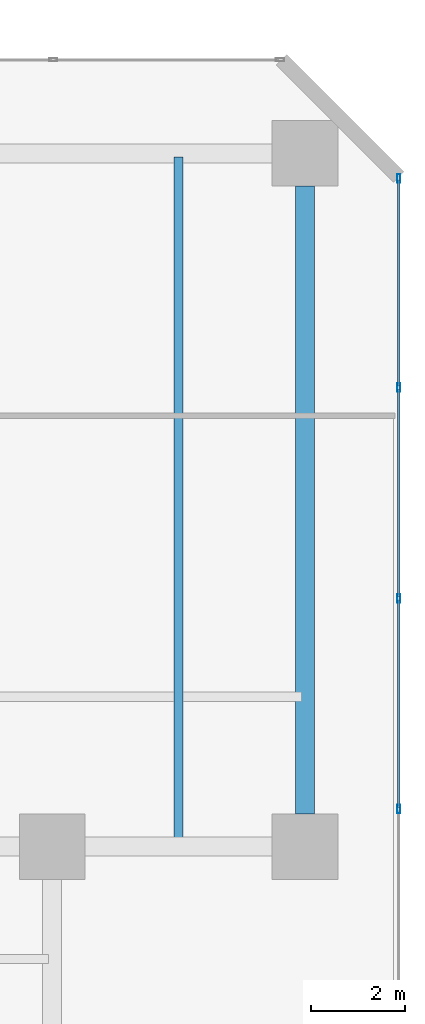
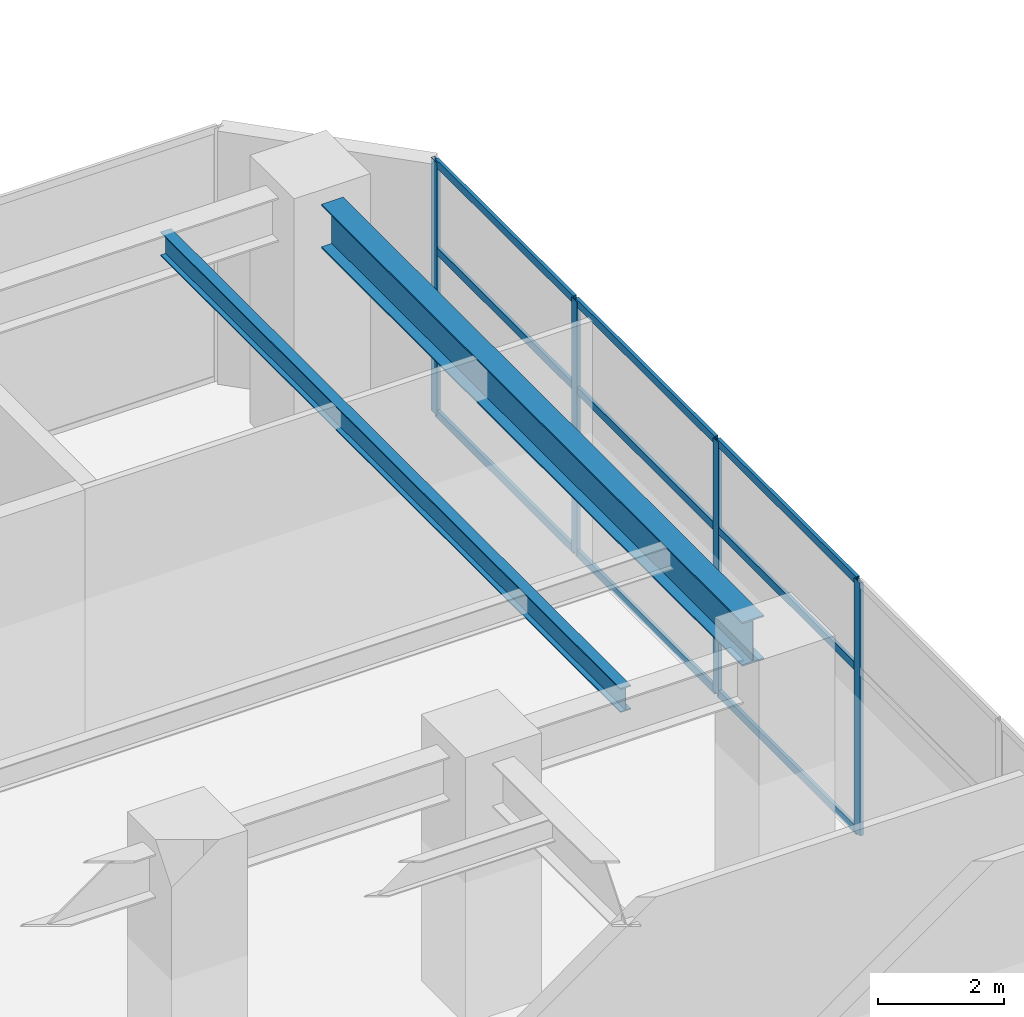
# One storey, part 4 of 22: 13 members, 2 beams, 1 element without a shape of its own.
"""IFC4 building model written with IfcOpenShell, lengths in metres."""

from ifc_helpers import new_model, si_unit, direction, frame, origin, origin_2d, place, context, subcontext, project, spatial, hollow_rectangle, i_section, extrude, material, layer, layer_set, material_profile, profile_set, type_object, element, aggregate, save


model = new_model("IFC4")

# Units and contexts
model_context = context("Model", 3, precision=1e-05, world=origin(), true_north=direction((0.0, 1.0)))
body_context = subcontext(model_context, "Body", "Model", "MODEL_VIEW")
ifc_project = project(units=[si_unit("LENGTHUNIT", "METRE"), si_unit("AREAUNIT", "SQUARE_METRE"), si_unit("VOLUMEUNIT", "CUBIC_METRE"), si_unit("PLANEANGLEUNIT", "RADIAN"), si_unit("MASSUNIT", "GRAM", prefix="KILO")], contexts=[model_context])

# Site, building, storey
site_placement = place(None, origin())
site = spatial("IfcSite", under=ifc_project, at=site_placement, CompositionType="ELEMENT")
building_placement = place(site_placement, origin())
building = spatial("IfcBuilding", under=site, at=building_placement, Name="Mawjaban Terraces University", CompositionType="ELEMENT")
storey_placement = place(building_placement, frame((0.0, 0.0, 10.39990234375)))
storey = spatial("IfcBuildingStorey", under=building, at=storey_placement, Name="L02", CompositionType="ELEMENT", Elevation=10.39990234375)

# Beams
ifc_material_1 = material(Name="Steel ASTM A572 Grade 50", Category="steel")
ifc_material_profile_1 = material_profile(ifc_material_1, i_section(OverallWidth=0.39990234375, OverallDepth=0.85498046875, WebThickness=0.018310546875, FlangeThickness=0.029296875, at=origin_2d()), Name="W840X299")
ifc_profile_set_1 = profile_set([ifc_material_profile_1], Name="Steel ASTM A572 Grade 50")
beam_type_1 = type_object("IfcBeamType", Name="Beam_B_W840X299", PredefinedType="BEAM", material=ifc_profile_set_1)
beam_1_placement = place(storey_placement, frame((74.0, 15.89990234375, 4.4931640625), z_axis=(0.0, 1.0, 0.0), x_axis=(-1.0, 0.0, 0.0)))
element("IfcBeam", 1, at=beam_1_placement, inside=storey, type_object=beam_type_1, Name="L02 Beam BM-L02-NS-22", PredefinedType="BEAM", context=body_context, shape_type="SweptSolid", body=[
    extrude(i_section(OverallWidth=0.39990234375, OverallDepth=0.85498046875, WebThickness=0.018310546875, FlangeThickness=0.029296875, at=origin_2d()), origin(), (0.0, 0.0, 1.0), 13.400146484375),
])
ifc_material_profile_2 = material_profile(ifc_material_1, i_section(OverallWidth=0.194091796875, OverallDepth=0.468994140625, WebThickness=0.011474609375, FlangeThickness=0.0205078125, at=origin_2d()), Name="W460X106")
ifc_profile_set_2 = profile_set([ifc_material_profile_2], Name="Steel ASTM A572 Grade 50")
beam_type_2 = type_object("IfcBeamType", Name="Beam_J_W460X106", PredefinedType="JOIST", material=ifc_profile_set_2)
beam_2_placement = place(storey_placement, frame((71.300048828125, 15.280029296875, 4.68505859375), z_axis=(0.0, 1.0, 0.0), x_axis=(-1.0, 0.0, 0.0)))
element("IfcBeam", 2, at=beam_2_placement, inside=storey, type_object=beam_type_2, Name="L02 Composite Joist JST-L02-NS-34", PredefinedType="JOIST", context=body_context, shape_type="SweptSolid", body=[
    extrude(i_section(OverallWidth=0.194091796875, OverallDepth=0.468994140625, WebThickness=0.011474609375, FlangeThickness=0.0205078125, at=origin_2d()), origin(), (0.0, 0.0, 1.0), 14.639892578125),
])

# Curtain wall, members
ifc_material_2 = material(Name="Anodised aluminium 6063-T6 and solar-control low-E glass", Category="aluminium")
ifc_layer = layer(ifc_material_2, 0.179931640625)
ifc_layer_set = layer_set([ifc_layer], Name="Anodised aluminium 6063-T6 and solar-control low-E glass")
curtain_wall_type = type_object("IfcCurtainWallType", Name="CWSystem_01_PlazaFoyer", PredefinedType="NOTDEFINED", material=ifc_layer_set)
curtain_wall_placement = place(storey_placement, origin())
curtain_wall = element("IfcCurtainWall", 3, at=curtain_wall_placement, inside=storey, type_object=curtain_wall_type, Name="L02 Curtain Wall CW-01 Run 3.1", PredefinedType="NOTDEFINED")
ifc_material_3 = material(Name="Anodised aluminium 6063-T6", Category="aluminium")
ifc_material_profile_3 = material_profile(ifc_material_3, hollow_rectangle(XDim=0.06494140625, YDim=0.179931640625, WallThickness=0.00390625, at=origin_2d()), Name="ALU180X65X4")
ifc_profile_set_3 = profile_set([ifc_material_profile_3], Name="Anodised aluminium 6063-T6")
member_type_1 = type_object("IfcMemberType", Name="Mullion_CW-01", PredefinedType="MULLION", material=ifc_profile_set_3)
member_1_placement = place(storey_placement, frame((76.0, 16.0, 0.0), z_axis=(0.0, 0.0, 1.0), x_axis=(-1.0, 0.0, 0.0)))
member_1 = element("IfcMember", 4, at=member_1_placement, type_object=member_type_1, Name="CW-01 mullion 4", PredefinedType="MULLION", context=body_context, shape_type="SweptSolid", body=[
    extrude(hollow_rectangle(XDim=0.06494140625, YDim=0.179931640625, WallThickness=0.00390625, at=origin_2d()), origin(), (0.0, 0.0, 1.0), 4.920166015625),
])
member_2_placement = place(storey_placement, frame((76.0, 20.5, 0.0), z_axis=(0.0, 0.0, 1.0), x_axis=(-1.0, 0.0, 0.0)))
member_2 = element("IfcMember", 5, at=member_2_placement, type_object=member_type_1, Name="CW-01 mullion 5", PredefinedType="MULLION", context=body_context, shape_type="SweptSolid", body=[
    extrude(hollow_rectangle(XDim=0.06494140625, YDim=0.179931640625, WallThickness=0.00390625, at=origin_2d()), origin(), (0.0, 0.0, 1.0), 4.920166015625),
])
member_3_placement = place(storey_placement, frame((76.0, 25.0, 0.0), z_axis=(0.0, 0.0, 1.0), x_axis=(-1.0, 0.0, 0.0)))
member_3 = element("IfcMember", 6, at=member_3_placement, type_object=member_type_1, Name="CW-01 mullion 6", PredefinedType="MULLION", context=body_context, shape_type="SweptSolid", body=[
    extrude(hollow_rectangle(XDim=0.06494140625, YDim=0.179931640625, WallThickness=0.00390625, at=origin_2d()), origin(), (0.0, 0.0, 1.0), 4.920166015625),
])
member_4_placement = place(storey_placement, frame((76.0, 29.467529296875, 0.0), z_axis=(0.0, 0.0, 1.0), x_axis=(-1.0, 0.0, 0.0)))
member_4 = element("IfcMember", 7, at=member_4_placement, type_object=member_type_1, Name="CW-01 mullion 7", PredefinedType="MULLION", context=body_context, shape_type="SweptSolid", body=[
    extrude(hollow_rectangle(XDim=0.06494140625, YDim=0.179931640625, WallThickness=0.00390625, at=origin_2d()), origin(), (0.0, 0.0, 1.0), 4.920166015625),
])
ifc_material_profile_4 = material_profile(ifc_material_3, hollow_rectangle(XDim=0.06005859375, YDim=0.14990234375, WallThickness=0.00390625, at=origin_2d()), Name="ALU150X60X4")
ifc_profile_set_4 = profile_set([ifc_material_profile_4], Name="Anodised aluminium 6063-T6")
member_type_2 = type_object("IfcMemberType", Name="Transom_CW-01", PredefinedType="NOTDEFINED", material=ifc_profile_set_4)
member_5_placement = place(storey_placement, frame((76.0, 16.032470703125, 0.030029296875), z_axis=(0.0, 1.0, 0.0), x_axis=(-1.0, 0.0, 0.0)))
member_5 = element("IfcMember", 8, at=member_5_placement, type_object=member_type_2, Name="CW-01 transom 4.1", ObjectType="TRANSOM", PredefinedType="USERDEFINED", context=body_context, shape_type="SweptSolid", body=[
    extrude(hollow_rectangle(XDim=0.06005859375, YDim=0.14990234375, WallThickness=0.00390625, at=origin_2d()), origin(), (0.0, 0.0, 1.0), 4.43505859375),
])
member_6_placement = place(storey_placement, frame((76.0, 16.032470703125, 3.197998046875), z_axis=(0.0, 1.0, 0.0), x_axis=(-1.0, 0.0, 0.0)))
member_6 = element("IfcMember", 9, at=member_6_placement, type_object=member_type_2, Name="CW-01 transom 4.2", ObjectType="TRANSOM", PredefinedType="USERDEFINED", context=body_context, shape_type="SweptSolid", body=[
    extrude(hollow_rectangle(XDim=0.06005859375, YDim=0.14990234375, WallThickness=0.00390625, at=origin_2d()), origin(), (0.0, 0.0, 1.0), 4.43505859375),
])
member_7_placement = place(storey_placement, frame((76.0, 16.032470703125, 4.89013671875), z_axis=(0.0, 1.0, 0.0), x_axis=(-1.0, 0.0, 0.0)))
member_7 = element("IfcMember", 10, at=member_7_placement, type_object=member_type_2, Name="CW-01 transom 4.3", ObjectType="TRANSOM", PredefinedType="USERDEFINED", context=body_context, shape_type="SweptSolid", body=[
    extrude(hollow_rectangle(XDim=0.06005859375, YDim=0.14990234375, WallThickness=0.00390625, at=origin_2d()), origin(), (0.0, 0.0, 1.0), 4.43505859375),
])
member_8_placement = place(storey_placement, frame((76.0, 20.532470703125, 0.030029296875), z_axis=(0.0, 1.0, 0.0), x_axis=(-1.0, 0.0, 0.0)))
member_8 = element("IfcMember", 11, at=member_8_placement, type_object=member_type_2, Name="CW-01 transom 5.1", ObjectType="TRANSOM", PredefinedType="USERDEFINED", context=body_context, shape_type="SweptSolid", body=[
    extrude(hollow_rectangle(XDim=0.06005859375, YDim=0.14990234375, WallThickness=0.00390625, at=origin_2d()), origin(), (0.0, 0.0, 1.0), 4.43505859375),
])
member_9_placement = place(storey_placement, frame((76.0, 20.532470703125, 3.197998046875), z_axis=(0.0, 1.0, 0.0), x_axis=(-1.0, 0.0, 0.0)))
member_9 = element("IfcMember", 12, at=member_9_placement, type_object=member_type_2, Name="CW-01 transom 5.2", ObjectType="TRANSOM", PredefinedType="USERDEFINED", context=body_context, shape_type="SweptSolid", body=[
    extrude(hollow_rectangle(XDim=0.06005859375, YDim=0.14990234375, WallThickness=0.00390625, at=origin_2d()), origin(), (0.0, 0.0, 1.0), 4.43505859375),
])
member_10_placement = place(storey_placement, frame((76.0, 20.532470703125, 4.89013671875), z_axis=(0.0, 1.0, 0.0), x_axis=(-1.0, 0.0, 0.0)))
member_10 = element("IfcMember", 13, at=member_10_placement, type_object=member_type_2, Name="CW-01 transom 5.3", ObjectType="TRANSOM", PredefinedType="USERDEFINED", context=body_context, shape_type="SweptSolid", body=[
    extrude(hollow_rectangle(XDim=0.06005859375, YDim=0.14990234375, WallThickness=0.00390625, at=origin_2d()), origin(), (0.0, 0.0, 1.0), 4.43505859375),
])
member_11_placement = place(storey_placement, frame((76.0, 25.032470703125, 0.030029296875), z_axis=(0.0, 1.0, 0.0), x_axis=(-1.0, 0.0, 0.0)))
member_11 = element("IfcMember", 14, at=member_11_placement, type_object=member_type_2, Name="CW-01 transom 6.1", ObjectType="TRANSOM", PredefinedType="USERDEFINED", context=body_context, shape_type="SweptSolid", body=[
    extrude(hollow_rectangle(XDim=0.06005859375, YDim=0.14990234375, WallThickness=0.00390625, at=origin_2d()), origin(), (0.0, 0.0, 1.0), 4.402587890625),
])
member_12_placement = place(storey_placement, frame((76.0, 25.032470703125, 3.197998046875), z_axis=(0.0, 1.0, 0.0), x_axis=(-1.0, 0.0, 0.0)))
member_12 = element("IfcMember", 15, at=member_12_placement, type_object=member_type_2, Name="CW-01 transom 6.2", ObjectType="TRANSOM", PredefinedType="USERDEFINED", context=body_context, shape_type="SweptSolid", body=[
    extrude(hollow_rectangle(XDim=0.06005859375, YDim=0.14990234375, WallThickness=0.00390625, at=origin_2d()), origin(), (0.0, 0.0, 1.0), 4.402587890625),
])
member_13_placement = place(storey_placement, frame((76.0, 25.032470703125, 4.89013671875), z_axis=(0.0, 1.0, 0.0), x_axis=(-1.0, 0.0, 0.0)))
member_13 = element("IfcMember", 16, at=member_13_placement, type_object=member_type_2, Name="CW-01 transom 6.3", ObjectType="TRANSOM", PredefinedType="USERDEFINED", context=body_context, shape_type="SweptSolid", body=[
    extrude(hollow_rectangle(XDim=0.06005859375, YDim=0.14990234375, WallThickness=0.00390625, at=origin_2d()), origin(), (0.0, 0.0, 1.0), 4.402587890625),
])
aggregate(curtain_wall, [member_1, member_2, member_3, member_4, member_5, member_6, member_7, member_8, member_9, member_10, member_11, member_12, member_13])

save(model, "model.ifc")
